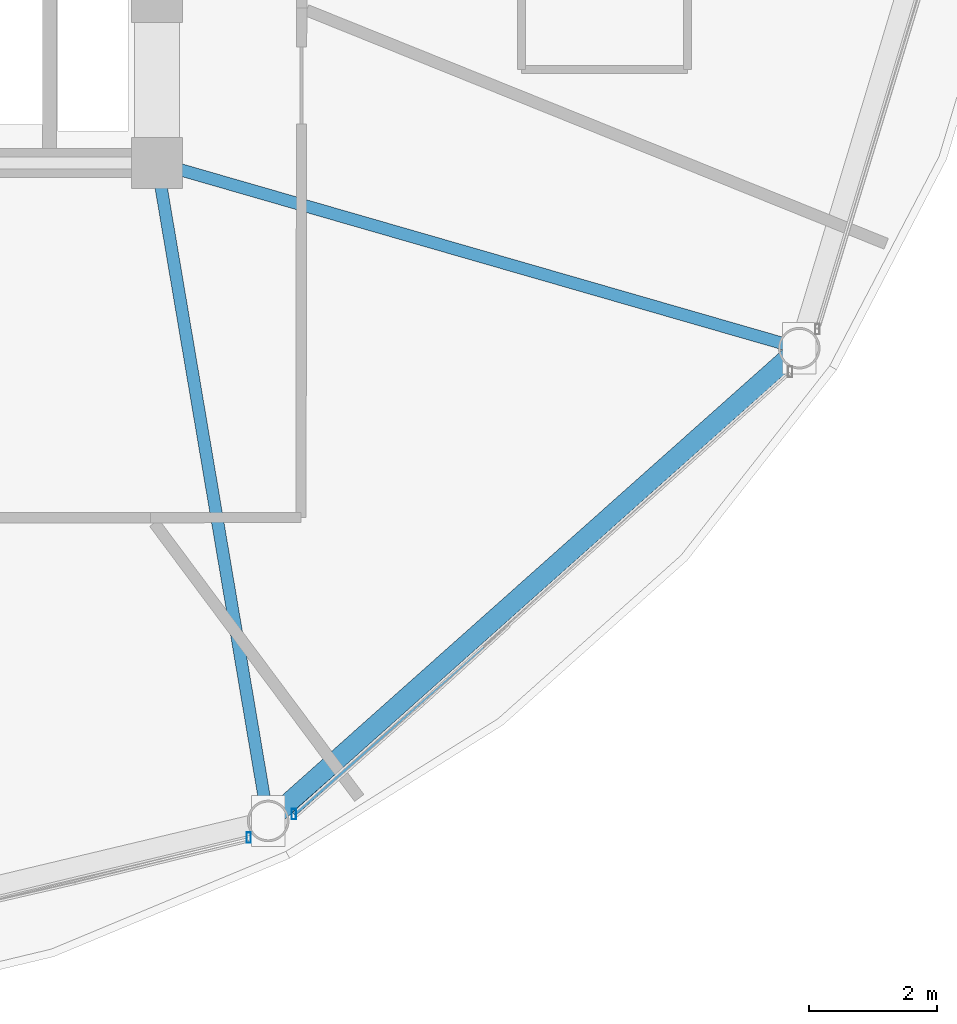
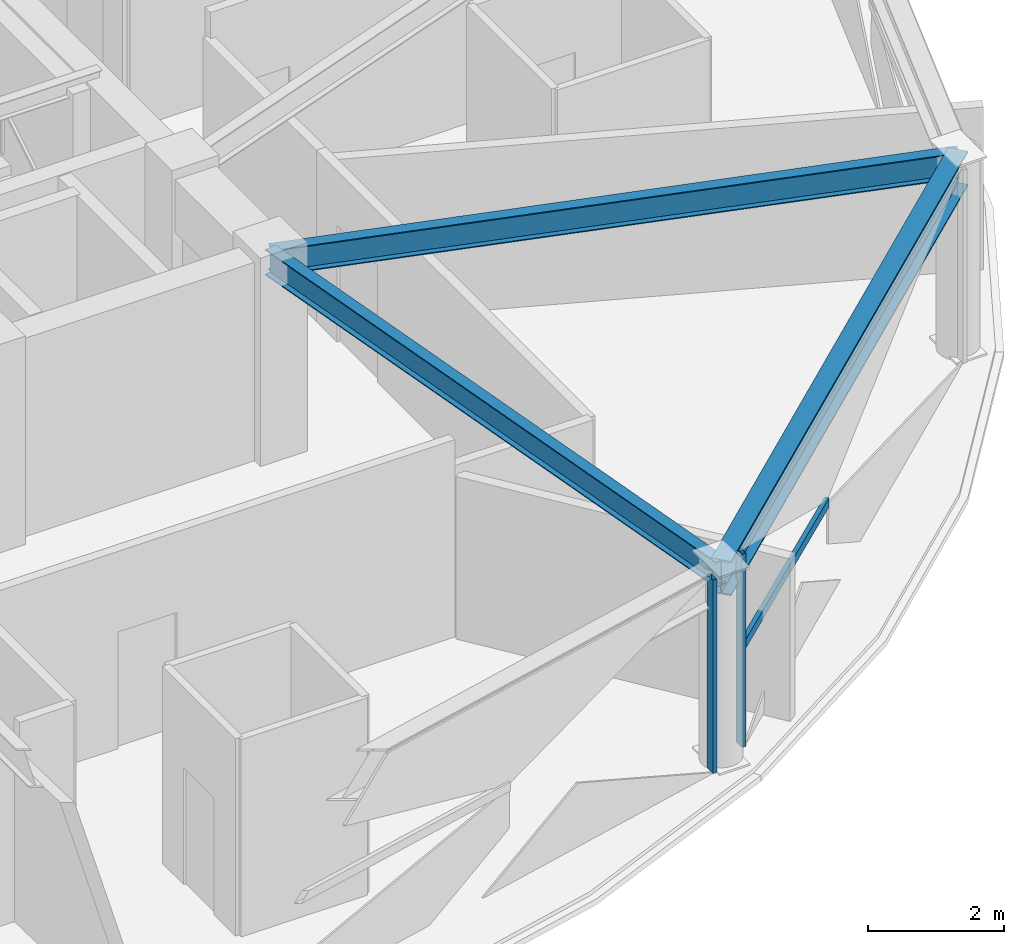
# One storey, part 11 of 30: 3 beams, 3 members, 2 elements without a shape of their own.
"""IFC4 building model written with IfcOpenShell, lengths in metres."""

from ifc_helpers import new_model, si_unit, direction, frame, origin, origin_2d, place, context, subcontext, project, spatial, hollow_rectangle, i_section, extrude, material, layer, layer_set, material_profile, profile_set, type_object, element, aggregate, save


model = new_model("IFC4")

# Units and contexts
model_context = context("Model", 3, precision=1e-05, world=origin(), true_north=direction((0.0, 1.0)))
body_context = subcontext(model_context, "Body", "Model", "MODEL_VIEW")
ifc_project = project(units=[si_unit("LENGTHUNIT", "METRE"), si_unit("AREAUNIT", "SQUARE_METRE"), si_unit("VOLUMEUNIT", "CUBIC_METRE"), si_unit("PLANEANGLEUNIT", "RADIAN"), si_unit("MASSUNIT", "GRAM", prefix="KILO")], contexts=[model_context])

# Site, building, storey
site_placement = place(None, origin())
site = spatial("IfcSite", under=ifc_project, at=site_placement, CompositionType="ELEMENT")
building_placement = place(site_placement, origin())
building = spatial("IfcBuilding", under=site, at=building_placement, Name="Vantalir Tower", CompositionType="ELEMENT")
storey_placement = place(building_placement, frame((0.0, 0.0, 193.64990234375)))
storey = spatial("IfcBuildingStorey", under=building, at=storey_placement, Name="L48", CompositionType="ELEMENT", Elevation=193.64990234375)

# Beams
ifc_material_1 = material(Name="Steel S355", Category="steel")
ifc_material_profile_1 = material_profile(ifc_material_1, i_section(OverallWidth=0.19189453125, OverallDepth=0.462890625, WebThickness=0.010498046875, FlangeThickness=0.017578125, at=origin_2d()), Name="Steel S355")
ifc_profile_set_1 = profile_set([ifc_material_profile_1], Name="Steel S355")
beam_type_1 = type_object("IfcBeamType", Name="BM-RB-457x191", PredefinedType="BEAM", material=ifc_profile_set_1)
beam_1_placement = place(storey_placement, frame((42.837890625, 7.51708984375, 3.338134765625), z_axis=(-0.166634565595, 0.986018722717, 0.0), x_axis=(-0.986018722717, -0.166634565595, 0.0)))
element("IfcBeam", 1, at=beam_1_placement, inside=storey, type_object=beam_type_1, Name="L48 Radial Floor Beam 11", PredefinedType="BEAM", context=body_context, shape_type="SweptSolid", body=[
    extrude(i_section(OverallWidth=0.19189453125, OverallDepth=0.462890625, WebThickness=0.010498046875, FlangeThickness=0.017578125, at=origin_2d()), origin(), (0.0, 0.0, 1.0), 10.4287109375),
])
beam_2_placement = place(storey_placement, frame((51.137939453125, 14.906005859375, 3.338134765625), z_axis=(-0.960861521684, 0.277029125089, 0.0), x_axis=(-0.277029125089, -0.960861521684, 0.0)))
element("IfcBeam", 2, at=beam_2_placement, inside=storey, type_object=beam_type_1, Name="L48 Radial Floor Beam 12", PredefinedType="BEAM", context=body_context, shape_type="SweptSolid", body=[
    extrude(i_section(OverallWidth=0.19189453125, OverallDepth=0.462890625, WebThickness=0.010498046875, FlangeThickness=0.017578125, at=origin_2d()), origin(), (0.0, 0.0, 1.0), 10.44677734375),
])
ifc_material_2 = material(Name="Steel S460", Category="steel")
ifc_material_profile_2 = material_profile(ifc_material_2, i_section(OverallWidth=0.306884765625, OverallDepth=0.6201171875, WebThickness=0.01416015625, FlangeThickness=0.023681640625, at=origin_2d()), Name="Steel S460")
ifc_profile_set_2 = profile_set([ifc_material_profile_2], Name="Steel S460")
beam_type_2 = type_object("IfcBeamType", Name="BM-RG-610x305", PredefinedType="USERDEFINED", material=ifc_profile_set_2)
beam_3_placement = place(storey_placement, frame((42.837890625, 7.51708984375, 3.260009765625), z_axis=(0.746913346666, 0.664921388265, 0.0), x_axis=(-0.664921388265, 0.746913346666, 0.0)))
element("IfcBeam", 3, at=beam_3_placement, inside=storey, type_object=beam_type_2, Name="L48 Circumferential Ring Girder 11", ObjectType="GIRDER", PredefinedType="USERDEFINED", context=body_context, shape_type="SweptSolid", body=[
    extrude(i_section(OverallWidth=0.306884765625, OverallDepth=0.6201171875, WebThickness=0.01416015625, FlangeThickness=0.023681640625, at=origin_2d()), origin(), (0.0, 0.0, 1.0), 11.112548828125),
])

# Curtain wall, member
ifc_material_3 = material(Name="Champagne-silver PVDF aluminium and double-silver Low-E glass", Category="aluminium")
ifc_layer = layer(ifc_material_3, 0.2099609375)
ifc_layer_set = layer_set([ifc_layer], Name="Champagne-silver PVDF aluminium and double-silver Low-E glass")
curtain_wall_type = type_object("IfcCurtainWallType", Name="CW-DIAMOND-Z3", PredefinedType="USERDEFINED", material=ifc_layer_set)
curtain_wall_1_placement = place(storey_placement, origin())
curtain_wall_1 = element("IfcCurtainWall", 4, at=curtain_wall_1_placement, inside=storey, type_object=curtain_wall_type, Name="L48 Quilted Pyramid-Diamond Curtain Wall S10", ObjectType="UNITISED CURTAIN WALL", PredefinedType="USERDEFINED")
ifc_material_4 = material(Name="Champagne-silver PVDF aluminium 6063-T6", Category="aluminium")
ifc_material_profile_3 = material_profile(ifc_material_4, hollow_rectangle(XDim=0.070068359375, YDim=0.1650390625, WallThickness=0.00390625, at=origin_2d()), Name="Champagne-silver PVDF aluminium 6063-T6")
ifc_profile_set_3 = profile_set([ifc_material_profile_3], Name="Champagne-silver PVDF aluminium 6063-T6")
member_type_1 = type_object("IfcMemberType", Name="CWM-165x70", PredefinedType="MULLION", material=ifc_profile_set_3)
member_1_placement = place(storey_placement, frame((42.533935546875, 7.257080078125, 0.045166015625), z_axis=(0.0, 0.0, 1.0), x_axis=(1.0, 0.0, 0.0)))
member_1 = element("IfcMember", 5, at=member_1_placement, type_object=member_type_1, Name="CW-L48-S10 Mullion 2", PredefinedType="MULLION", context=body_context, shape_type="SweptSolid", body=[
    extrude(hollow_rectangle(XDim=0.070068359375, YDim=0.1650390625, WallThickness=0.00390625, at=origin_2d()), origin(), (0.0, 0.0, 1.0), 3.47998046875),
])
aggregate(curtain_wall_1, [member_1])

# Curtain wall, members
curtain_wall_2_placement = place(storey_placement, origin())
curtain_wall_2 = element("IfcCurtainWall", 6, at=curtain_wall_2_placement, inside=storey, type_object=curtain_wall_type, Name="L48 Quilted Pyramid-Diamond Curtain Wall S11", ObjectType="UNITISED CURTAIN WALL", PredefinedType="USERDEFINED")
member_2_placement = place(storey_placement, frame((43.239013671875, 7.625, 0.045166015625), z_axis=(0.0, 0.0, 1.0), x_axis=(1.0, 0.0, 0.0)))
member_2 = element("IfcMember", 7, at=member_2_placement, type_object=member_type_1, Name="CW-L48-S11 Mullion 1", PredefinedType="MULLION", context=body_context, shape_type="SweptSolid", body=[
    extrude(hollow_rectangle(XDim=0.070068359375, YDim=0.1650390625, WallThickness=0.00390625, at=origin_2d()), origin(), (0.0, 0.0, 1.0), 3.47998046875),
])
ifc_material_profile_4 = material_profile(ifc_material_4, hollow_rectangle(XDim=0.074951171875, YDim=0.159912109375, WallThickness=0.00390625, at=origin_2d()), Name="Champagne-silver PVDF aluminium 6063-T6")
ifc_profile_set_4 = profile_set([ifc_material_profile_4], Name="Champagne-silver PVDF aluminium 6063-T6")
member_type_2 = type_object("IfcMemberType", Name="CWT-160x75", PredefinedType="USERDEFINED", material=ifc_profile_set_4)
member_3_placement = place(storey_placement, frame((43.239013671875, 7.625, 1.78515625), z_axis=(0.750609293483, 0.660746311785, 0.0), x_axis=(-0.660746311785, 0.750609293483, 0.0)))
member_3 = element("IfcMember", 8, at=member_3_placement, type_object=member_type_2, Name="CW-L48-S11 Pyramid Fold Ridge Transom", ObjectType="TRANSOM", PredefinedType="USERDEFINED", context=body_context, shape_type="SweptSolid", body=[
    extrude(hollow_rectangle(XDim=0.074951171875, YDim=0.159912109375, WallThickness=0.00390625, at=origin_2d()), origin(), (0.0, 0.0, 1.0), 3.9501953125),
])
aggregate(curtain_wall_2, [member_2, member_3])

save(model, "model.ifc")
